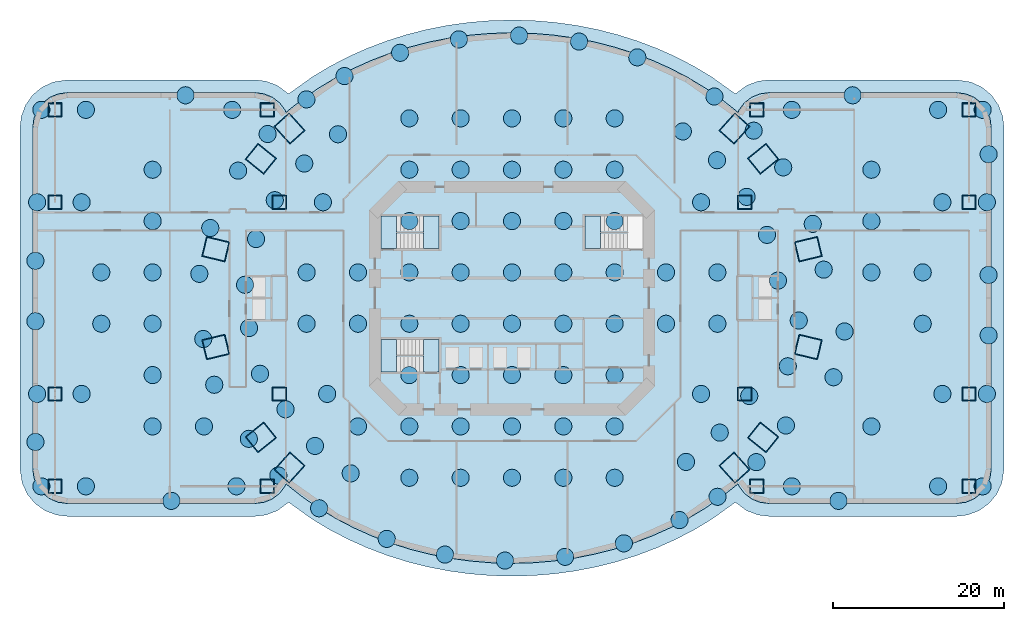
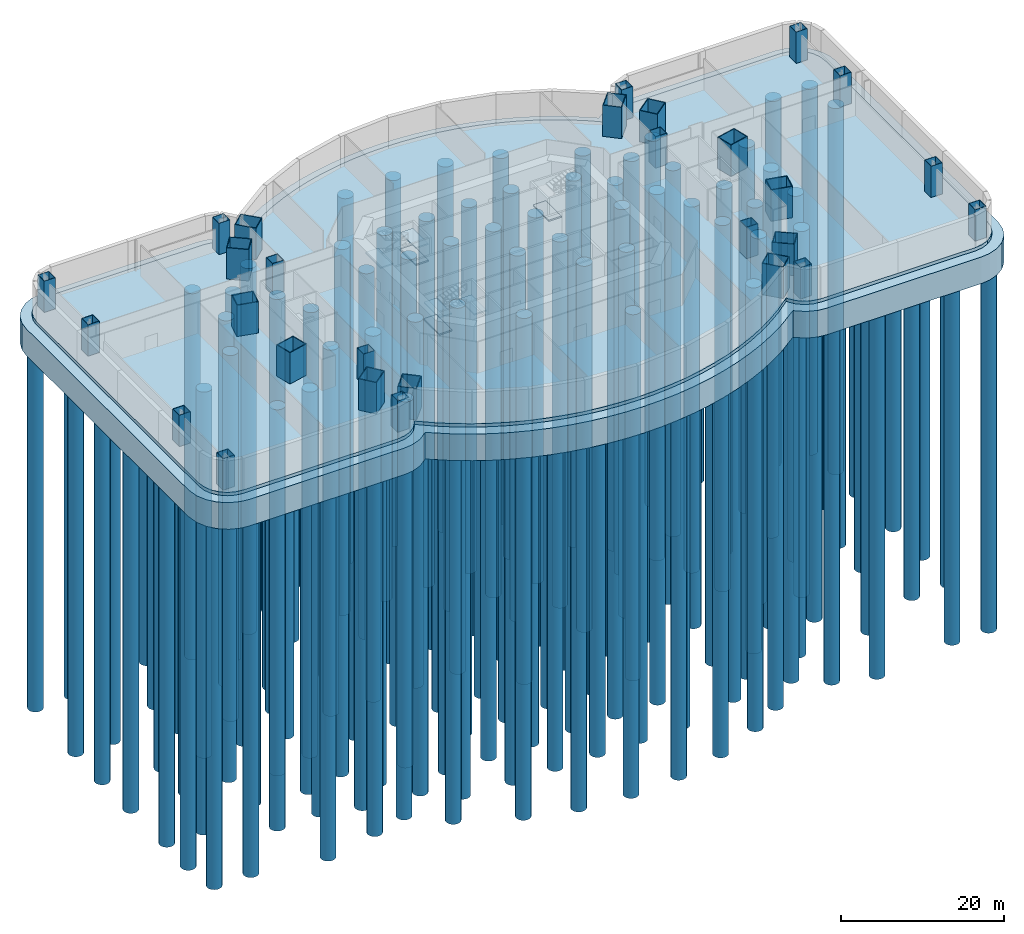
# One storey, part 1 of 9: 150 piles, 28 columns, 8 slabs, 1 footing, 3 elements without a shape of their own.
"""IFC4 building model written with IfcOpenShell, lengths in metres."""

from ifc_helpers import new_model, si_unit, direction, frame, origin, origin_2d, place, context, subcontext, project, spatial, polyline, rectangle, hollow_rectangle, circle, outline, extrude, material, layer, layer_set, material_profile, profile_set, type_object, element, aggregate, save


model = new_model("IFC4")

# Units and contexts
model_context = context("Model", 3, precision=1e-05, world=origin(), true_north=direction((0.0, 1.0)))
body_context = subcontext(model_context, "Body", "Model", "MODEL_VIEW")
ifc_project = project(units=[si_unit("LENGTHUNIT", "METRE"), si_unit("AREAUNIT", "SQUARE_METRE"), si_unit("VOLUMEUNIT", "CUBIC_METRE"), si_unit("PLANEANGLEUNIT", "RADIAN"), si_unit("MASSUNIT", "GRAM", prefix="KILO")], contexts=[model_context])

# Site, building, storey
site_placement = place(None, origin())
site = spatial("IfcSite", under=ifc_project, at=site_placement, CompositionType="ELEMENT")
building_placement = place(site_placement, origin())
building = spatial("IfcBuilding", under=site, at=building_placement, Name="Marenthal Gate Tower", CompositionType="ELEMENT")
storey_placement = place(building_placement, frame((0.0, 0.0, -10.0)))
storey = spatial("IfcBuildingStorey", under=building, at=storey_placement, Name="B2", CompositionType="ELEMENT", Elevation=-10.0)

# Piles
ifc_material_1 = material(Name="Concrete 40 MPa", Category="concrete")
pile_type = type_object("IfcPileType", Name="BORED PILE D2000", PredefinedType="BORED", material=ifc_material_1)
for number, where, z_axis, x_axis, name in (
    (1, (35.14794921875, 8.669921875, -4.5), (0.0, 0.0, -1.0), (1.0, 0.0, 0.0), "PIL-001"),
    (2, (36.429931640625, 3.321044921875, -4.5), (0.0, 0.0, -1.0), (1.0, 0.0, 0.0), "PIL-002"),
    (3, (29.799072265625, 7.387939453125, -4.5), (0.0, 0.0, -1.0), (1.0, 0.0, 0.0), "PIL-003"),
    (4, (31.0810546875, 2.0400390625, -4.5), (0.0, 0.0, -1.0), (1.0, 0.0, 0.0), "PIL-004"),
    (5, (28.248046875, 19.56201171875, -4.5), (0.0, 0.0, -1.0), (1.0, 0.0, 0.0), "PIL-005"),
    (6, (31.697021484375, 15.278076171875, -4.5), (0.0, 0.0, -1.0), (1.0, 0.0, 0.0), "PIL-006"),
    (7, (23.962890625, 16.113037109375, -4.5), (0.0, 0.0, -1.0), (1.0, 0.0, 0.0), "PIL-007"),
    (8, (27.412109375, 11.8291015625, -4.5), (0.0, 0.0, -1.0), (1.0, 0.0, 0.0), "PIL-008"),
    (9, (-32.010009765625, 14.888916015625, -4.5), (0.0, 0.0, -1.0), (1.0, 0.0, 0.0), "PIL-009"),
    (10, (-28.56103515625, 19.173095703125, -4.5), (0.0, 0.0, -1.0), (1.0, 0.0, 0.0), "PIL-010"),
    (11, (-27.72607421875, 11.43994140625, -4.5), (0.0, 0.0, -1.0), (1.0, 0.0, 0.0), "PIL-011"),
    (12, (-24.277099609375, 15.72412109375, -4.5), (0.0, 0.0, -1.0), (1.0, 0.0, 0.0), "PIL-012"),
    (13, (-36.5458984375, 2.8349609375, -4.5), (0.0, 0.0, -1.0), (1.0, 0.0, 0.0), "PIL-013"),
    (14, (-35.263916015625, 8.18408203125, -4.5), (0.0, 0.0, -1.0), (1.0, 0.0, 0.0), "PIL-014"),
    (15, (-31.197021484375, 1.552978515625, -4.5), (0.0, 0.0, -1.0), (1.0, 0.0, 0.0), "PIL-015"),
    (16, (-29.916015625, 6.902099609375, -4.5), (0.0, 0.0, -1.0), (1.0, 0.0, 0.0), "PIL-016"),
    (17, (-34.798095703125, -10.12890625, -4.5), (0.0, 0.0, -1.0), (1.0, 0.0, 0.0), "PIL-017"),
    (18, (-36.080078125, -4.780029296875, -4.5), (0.0, 0.0, -1.0), (1.0, 0.0, 0.0), "PIL-018"),
    (19, (-29.449951171875, -8.846923828125, -4.5), (0.0, 0.0, -1.0), (1.0, 0.0, 0.0), "PIL-019"),
    (20, (-30.73095703125, -3.498046875, -4.5), (0.0, 0.0, -1.0), (1.0, 0.0, 0.0), "PIL-020"),
    (21, (-27.306884765625, -20.73095703125, -4.5), (0.0, 0.0, -1.0), (1.0, 0.0, 0.0), "PIL-021"),
    (22, (-30.756103515625, -16.446044921875, -4.5), (0.0, 0.0, -1.0), (1.0, 0.0, 0.0), "PIL-022"),
    (23, (-23.02294921875, -17.281982421875, -4.5), (0.0, 0.0, -1.0), (1.0, 0.0, 0.0), "PIL-023"),
    (24, (-26.471923828125, -12.998046875, -4.5), (0.0, 0.0, -1.0), (1.0, 0.0, 0.0), "PIL-024"),
    (25, (32.010009765625, -14.888916015625, -4.5), (0.0, 0.0, -1.0), (1.0, 0.0, 0.0), "PIL-025"),
    (26, (28.56103515625, -19.173095703125, -4.5), (0.0, 0.0, -1.0), (1.0, 0.0, 0.0), "PIL-026"),
    (27, (27.72607421875, -11.43994140625, -4.5), (0.0, 0.0, -1.0), (1.0, 0.0, 0.0), "PIL-027"),
    (28, (24.277099609375, -15.72412109375, -4.5), (0.0, 0.0, -1.0), (1.0, 0.0, 0.0), "PIL-028"),
    (29, (38.861083984375, -3.904052734375, -4.5), (0.0, 0.0, -1.0), (1.0, 0.0, 0.0), "PIL-029"),
    (30, (37.5791015625, -9.2529296875, -4.5), (0.0, 0.0, -1.0), (1.0, 0.0, 0.0), "PIL-030"),
    (31, (33.511962890625, -2.6220703125, -4.5), (0.0, 0.0, -1.0), (1.0, 0.0, 0.0), "PIL-031"),
    (32, (32.22998046875, -7.970947265625, -4.5), (0.0, 0.0, -1.0), (1.0, 0.0, 0.0), "PIL-032"),
    (33, (23.652099609375, 23.55810546875, -4.5), (0.0, 0.0, -1.0), (1.0, 0.0, 0.0), "PIL-033"),
    (34, (19.964111328125, 19.47802734375, -4.5), (0.0, 0.0, -1.0), (1.0, 0.0, 0.0), "PIL-034"),
    (35, (-24.02294921875, 23.222900390625, -4.5), (0.0, 0.0, -1.0), (1.0, 0.0, 0.0), "PIL-035"),
    (36, (-20.3349609375, 19.14306640625, -4.5), (0.0, 0.0, -1.0), (1.0, 0.0, 0.0), "PIL-036"),
    (37, (24.02294921875, -23.222900390625, -4.5), (0.0, 0.0, -1.0), (1.0, 0.0, 0.0), "PIL-037"),
    (38, (20.3349609375, -19.14306640625, -4.5), (0.0, 0.0, -1.0), (1.0, 0.0, 0.0), "PIL-038"),
    (39, (-22.5390625, -24.56396484375, -4.5), (0.0, 0.0, -1.0), (1.0, 0.0, 0.0), "PIL-039"),
    (40, (-18.85107421875, -20.48388671875, -4.5), (0.0, 0.0, -1.0), (1.0, 0.0, 0.0), "PIL-040"),
    (41, (49.800048828125, -22.0, -4.5), (0.0, 0.0, -1.0), (1.0, 0.0, 0.0), "PIL-041"),
    (42, (55.0, -22.0, -4.5), (0.0, 0.0, -1.0), (1.0, 0.0, 0.0), "PIL-042"),
    (43, (32.699951171875, -22.0, -4.5), (0.0, 0.0, -1.0), (1.0, 0.0, 0.0), "PIL-043"),
    (44, (50.300048828125, -11.199951171875, -4.5), (0.0, 0.0, -1.0), (1.0, 0.0, 0.0), "PIL-044"),
    (45, (55.5, -11.199951171875, -4.5), (0.0, 0.0, -1.0), (1.0, 0.0, 0.0), "PIL-045"),
    (46, (22.10009765625, -11.199951171875, -4.5), (0.0, 0.0, -1.0), (1.0, 0.0, 0.0), "PIL-046"),
    (47, (50.300048828125, 11.199951171875, -4.5), (0.0, 0.0, -1.0), (1.0, 0.0, 0.0), "PIL-047"),
    (48, (55.5, 11.199951171875, -4.5), (0.0, 0.0, -1.0), (1.0, 0.0, 0.0), "PIL-048"),
    (49, (22.10009765625, 11.199951171875, -4.5), (0.0, 0.0, -1.0), (1.0, 0.0, 0.0), "PIL-049"),
    (50, (49.800048828125, 22.0, -4.5), (0.0, 0.0, -1.0), (1.0, 0.0, 0.0), "PIL-050"),
    (51, (55.0, 22.0, -4.5), (0.0, 0.0, -1.0), (1.0, 0.0, 0.0), "PIL-051"),
    (52, (32.699951171875, 22.0, -4.5), (0.0, 0.0, -1.0), (1.0, 0.0, 0.0), "PIL-052"),
    (53, (-55.0, -22.0, -4.5), (0.0, 0.0, -1.0), (1.0, 0.0, 0.0), "PIL-053"),
    (54, (-49.800048828125, -22.0, -4.5), (0.0, 0.0, -1.0), (1.0, 0.0, 0.0), "PIL-054"),
    (55, (-32.199951171875, -22.0, -4.5), (0.0, 0.0, -1.0), (1.0, 0.0, 0.0), "PIL-055"),
    (56, (-55.5, -11.199951171875, -4.5), (0.0, 0.0, -1.0), (1.0, 0.0, 0.0), "PIL-056"),
    (57, (-50.300048828125, -11.199951171875, -4.5), (0.0, 0.0, -1.0), (1.0, 0.0, 0.0), "PIL-057"),
    (58, (-21.60009765625, -11.199951171875, -4.5), (0.0, 0.0, -1.0), (1.0, 0.0, 0.0), "PIL-058"),
    (59, (-55.5, 11.199951171875, -4.5), (0.0, 0.0, -1.0), (1.0, 0.0, 0.0), "PIL-059"),
    (60, (-50.300048828125, 11.199951171875, -4.5), (0.0, 0.0, -1.0), (1.0, 0.0, 0.0), "PIL-060"),
    (61, (-22.10009765625, 11.199951171875, -4.5), (0.0, 0.0, -1.0), (1.0, 0.0, 0.0), "PIL-061"),
    (62, (-55.0, 22.0, -4.5), (0.0, 0.0, -1.0), (1.0, 0.0, 0.0), "PIL-062"),
    (63, (-49.800048828125, 22.0, -4.5), (0.0, 0.0, -1.0), (1.0, 0.0, 0.0), "PIL-063"),
    (64, (-32.699951171875, 22.0, -4.5), (0.0, 0.0, -1.0), (1.0, 0.0, 0.0), "PIL-064"),
    (65, (-18.0, -3.0, -4.5), (0.0, 0.0, -1.0), (1.0, 0.0, 0.0), "PIL-065"),
    (66, (-18.0, 3.0, -4.5), (0.0, 0.0, -1.0), (1.0, 0.0, 0.0), "PIL-066"),
    (67, (-12.0, -15.0, -4.5), (0.0, 0.0, -1.0), (1.0, 0.0, 0.0), "PIL-067"),
    (68, (-12.0, -9.0, -4.5), (0.0, 0.0, -1.0), (1.0, 0.0, 0.0), "PIL-068"),
    (69, (-12.0, -3.0, -4.5), (0.0, 0.0, -1.0), (1.0, 0.0, 0.0), "PIL-069"),
    (70, (-12.0, 3.0, -4.5), (0.0, 0.0, -1.0), (1.0, 0.0, 0.0), "PIL-070"),
    (71, (-12.0, 9.0, -4.5), (0.0, 0.0, -1.0), (1.0, 0.0, 0.0), "PIL-071"),
    (72, (-12.0, 15.0, -4.5), (0.0, 0.0, -1.0), (1.0, 0.0, 0.0), "PIL-072"),
    (73, (-6.0, -15.0, -4.5), (0.0, 0.0, -1.0), (1.0, 0.0, 0.0), "PIL-073"),
    (74, (-6.0, -9.0, -4.5), (0.0, 0.0, -1.0), (1.0, 0.0, 0.0), "PIL-074"),
    (75, (-6.0, -3.0, -4.5), (0.0, 0.0, -1.0), (1.0, 0.0, 0.0), "PIL-075"),
    (76, (-6.0, 3.0, -4.5), (0.0, 0.0, -1.0), (1.0, 0.0, 0.0), "PIL-076"),
    (77, (-6.0, 9.0, -4.5), (0.0, 0.0, -1.0), (1.0, 0.0, 0.0), "PIL-077"),
    (78, (-6.0, 15.0, -4.5), (0.0, 0.0, -1.0), (1.0, 0.0, 0.0), "PIL-078"),
    (79, (0.0, -15.0, -4.5), (0.0, 0.0, -1.0), (1.0, 0.0, 0.0), "PIL-079"),
    (80, (0.0, -9.0, -4.5), (0.0, 0.0, -1.0), (1.0, 0.0, 0.0), "PIL-080"),
    (81, (0.0, -3.0, -4.5), (0.0, 0.0, -1.0), (1.0, 0.0, 0.0), "PIL-081"),
    (82, (0.0, 3.0, -4.5), (0.0, 0.0, -1.0), (1.0, 0.0, 0.0), "PIL-082"),
    (83, (0.0, 9.0, -4.5), (0.0, 0.0, -1.0), (1.0, 0.0, 0.0), "PIL-083"),
    (84, (0.0, 15.0, -4.5), (0.0, 0.0, -1.0), (1.0, 0.0, 0.0), "PIL-084"),
    (85, (6.0, -15.0, -4.5), (0.0, 0.0, -1.0), (1.0, 0.0, 0.0), "PIL-085"),
    (86, (6.0, -9.0, -4.5), (0.0, 0.0, -1.0), (1.0, 0.0, 0.0), "PIL-086"),
    (87, (6.0, -3.0, -4.5), (0.0, 0.0, -1.0), (1.0, 0.0, 0.0), "PIL-087"),
    (88, (6.0, 3.0, -4.5), (0.0, 0.0, -1.0), (1.0, 0.0, 0.0), "PIL-088"),
    (89, (6.0, 9.0, -4.5), (0.0, 0.0, -1.0), (1.0, 0.0, 0.0), "PIL-089"),
    (90, (6.0, 15.0, -4.5), (0.0, 0.0, -1.0), (1.0, 0.0, 0.0), "PIL-090"),
    (91, (12.0, -15.0, -4.5), (0.0, 0.0, -1.0), (1.0, 0.0, 0.0), "PIL-091"),
    (92, (12.0, -9.0, -4.5), (0.0, 0.0, -1.0), (1.0, 0.0, 0.0), "PIL-092"),
    (93, (12.0, -3.0, -4.5), (0.0, 0.0, -1.0), (1.0, 0.0, 0.0), "PIL-093"),
    (94, (12.0, 3.0, -4.5), (0.0, 0.0, -1.0), (1.0, 0.0, 0.0), "PIL-094"),
    (95, (12.0, 9.0, -4.5), (0.0, 0.0, -1.0), (1.0, 0.0, 0.0), "PIL-095"),
    (96, (12.0, 15.0, -4.5), (0.0, 0.0, -1.0), (1.0, 0.0, 0.0), "PIL-096"),
    (97, (18.0, -3.0, -4.5), (0.0, 0.0, -1.0), (1.0, 0.0, 0.0), "PIL-097"),
    (98, (18.0, 3.0, -4.5), (0.0, 0.0, -1.0), (1.0, 0.0, 0.0), "PIL-098"),
    (99, (55.699951171875, 2.701904296875, -4.5), (0.0, 0.0, -1.0), (1.0, 0.0, 0.0), "PIL-099"),
    (100, (55.699951171875, 16.81494140625, -4.5), (0.0, 0.0, -1.0), (1.0, 0.0, 0.0), "PIL-100"),
    (101, (39.80810546875, 23.699951171875, -4.5), (0.0, 0.0, -1.0), (1.0, 0.0, 0.0), "PIL-101"),
    (102, (14.64111328125, 28.136962890625, -4.5), (0.0, 0.0, -1.0), (1.0, 0.0, 0.0), "PIL-102"),
    (103, (7.839111328125, 29.97705078125, -4.5), (0.0, 0.0, -1.0), (1.0, 0.0, 0.0), "PIL-103"),
    (104, (0.825927734375, 30.677001953125, -4.5), (0.0, 0.0, -1.0), (1.0, 0.0, 0.0), "PIL-104"),
    (105, (-6.2080078125, 30.240966796875, -4.5), (0.0, 0.0, -1.0), (1.0, 0.0, 0.0), "PIL-105"),
    (106, (-13.075927734375, 28.6669921875, -4.5), (0.0, 0.0, -1.0), (1.0, 0.0, 0.0), "PIL-106"),
    (107, (-19.575927734375, 25.947998046875, -4.5), (0.0, 0.0, -1.0), (1.0, 0.0, 0.0), "PIL-107"),
    (108, (-38.155029296875, 23.699951171875, -4.5), (0.0, 0.0, -1.0), (1.0, 0.0, 0.0), "PIL-108"),
    (109, (-55.699951171875, 4.35498046875, -4.5), (0.0, 0.0, -1.0), (1.0, 0.0, 0.0), "PIL-109"),
    (110, (-55.699951171875, -2.701904296875, -4.5), (0.0, 0.0, -1.0), (1.0, 0.0, 0.0), "PIL-110"),
    (111, (-55.699951171875, -16.81494140625, -4.5), (0.0, 0.0, -1.0), (1.0, 0.0, 0.0), "PIL-111"),
    (112, (-39.80810546875, -23.699951171875, -4.5), (0.0, 0.0, -1.0), (1.0, 0.0, 0.0), "PIL-112"),
    (113, (-14.64111328125, -28.136962890625, -4.5), (0.0, 0.0, -1.0), (1.0, 0.0, 0.0), "PIL-113"),
    (114, (-7.839111328125, -29.97705078125, -4.5), (0.0, 0.0, -1.0), (1.0, 0.0, 0.0), "PIL-114"),
    (115, (-0.825927734375, -30.677001953125, -4.5), (0.0, 0.0, -1.0), (1.0, 0.0, 0.0), "PIL-115"),
    (116, (6.2080078125, -30.240966796875, -4.5), (0.0, 0.0, -1.0), (1.0, 0.0, 0.0), "PIL-116"),
    (117, (13.075927734375, -28.6669921875, -4.5), (0.0, 0.0, -1.0), (1.0, 0.0, 0.0), "PIL-117"),
    (118, (19.575927734375, -25.947998046875, -4.5), (0.0, 0.0, -1.0), (1.0, 0.0, 0.0), "PIL-118"),
    (119, (38.155029296875, -23.699951171875, -4.5), (0.0, 0.0, -1.0), (1.0, 0.0, 0.0), "PIL-119"),
    (120, (55.699951171875, -4.35498046875, -4.5), (0.0, 0.0, -1.0), (1.0, 0.0, 0.0), "PIL-120"),
    (121, (-12.0, -21.0, -4.5), (0.0, 0.0, -1.0), (1.0, 0.0, 0.0), "PIL-121"),
    (122, (-6.0, -21.0, -4.5), (0.0, 0.0, -1.0), (1.0, 0.0, 0.0), "PIL-122"),
    (123, (0.0, -21.0, -4.5), (0.0, 0.0, -1.0), (1.0, 0.0, 0.0), "PIL-123"),
    (124, (6.0, -21.0, -4.5), (0.0, 0.0, -1.0), (1.0, 0.0, 0.0), "PIL-124"),
    (125, (12.0, -21.0, -4.5), (0.0, 0.0, -1.0), (1.0, 0.0, 0.0), "PIL-125"),
    (126, (-42.0, -15.0, -4.5), (0.0, 0.0, -1.0), (1.0, 0.0, 0.0), "PIL-126"),
    (127, (-36.0, -15.0, -4.5), (0.0, 0.0, -1.0), (1.0, 0.0, 0.0), "PIL-127"),
    (128, (-18.0, -15.0, -4.5), (0.0, 0.0, -1.0), (1.0, 0.0, 0.0), "PIL-128"),
    (129, (42.0, -15.0, -4.5), (0.0, 0.0, -1.0), (1.0, 0.0, 0.0), "PIL-129"),
    (130, (-42.0, -9.0, -4.5), (0.0, 0.0, -1.0), (1.0, 0.0, 0.0), "PIL-130"),
    (131, (-48.0, -3.0, -4.5), (0.0, 0.0, -1.0), (1.0, 0.0, 0.0), "PIL-131"),
    (132, (-42.0, -3.0, -4.5), (0.0, 0.0, -1.0), (1.0, 0.0, 0.0), "PIL-132"),
    (133, (-24.0, -3.0, -4.5), (0.0, 0.0, -1.0), (1.0, 0.0, 0.0), "PIL-133"),
    (134, (24.0, -3.0, -4.5), (0.0, 0.0, -1.0), (1.0, 0.0, 0.0), "PIL-134"),
    (135, (48.0, -3.0, -4.5), (0.0, 0.0, -1.0), (1.0, 0.0, 0.0), "PIL-135"),
    (136, (-48.0, 3.0, -4.5), (0.0, 0.0, -1.0), (1.0, 0.0, 0.0), "PIL-136"),
    (137, (-42.0, 3.0, -4.5), (0.0, 0.0, -1.0), (1.0, 0.0, 0.0), "PIL-137"),
    (138, (-24.0, 3.0, -4.5), (0.0, 0.0, -1.0), (1.0, 0.0, 0.0), "PIL-138"),
    (139, (24.0, 3.0, -4.5), (0.0, 0.0, -1.0), (1.0, 0.0, 0.0), "PIL-139"),
    (140, (42.0, 3.0, -4.5), (0.0, 0.0, -1.0), (1.0, 0.0, 0.0), "PIL-140"),
    (141, (48.0, 3.0, -4.5), (0.0, 0.0, -1.0), (1.0, 0.0, 0.0), "PIL-141"),
    (142, (-42.0, 9.0, -4.5), (0.0, 0.0, -1.0), (1.0, 0.0, 0.0), "PIL-142"),
    (143, (42.0, 9.0, -4.5), (0.0, 0.0, -1.0), (1.0, 0.0, 0.0), "PIL-143"),
    (144, (-42.0, 15.0, -4.5), (0.0, 0.0, -1.0), (1.0, 0.0, 0.0), "PIL-144"),
    (145, (42.0, 15.0, -4.5), (0.0, 0.0, -1.0), (1.0, 0.0, 0.0), "PIL-145"),
    (146, (-12.0, 21.0, -4.5), (0.0, 0.0, -1.0), (1.0, 0.0, 0.0), "PIL-146"),
    (147, (-6.0, 21.0, -4.5), (0.0, 0.0, -1.0), (1.0, 0.0, 0.0), "PIL-147"),
    (148, (0.0, 21.0, -4.5), (0.0, 0.0, -1.0), (1.0, 0.0, 0.0), "PIL-148"),
    (149, (6.0, 21.0, -4.5), (0.0, 0.0, -1.0), (1.0, 0.0, 0.0), "PIL-149"),
    (150, (12.0, 21.0, -4.5), (0.0, 0.0, -1.0), (1.0, 0.0, 0.0), "PIL-150"),
):
    element("IfcPile", number, at=place(storey_placement, frame(where, z_axis=z_axis, x_axis=x_axis)), inside=storey, type_object=pile_type, Name=name, PredefinedType="BORED", context=body_context, shape_type="SweptSolid", body=[
        extrude(circle(Radius=1.0, at=origin_2d()), origin(), (0.0, 0.0, 1.0), 55.0),
    ])

# Footing
ifc_material_2 = material(Name="Concrete 50 MPa", Category="concrete")
ifc_layer_1 = layer(ifc_material_2, 4.0)
ifc_layer_set_1 = layer_set([ifc_layer_1], Name="PILED RAFT 4000")
footing_type = type_object("IfcFootingType", Name="PILED RAFT 4000", PredefinedType="PILE_CAP", material=ifc_layer_set_1)
footing_placement = place(storey_placement, frame((0.0, 0.0, -4.5)))
element("IfcFooting", 151, at=footing_placement, inside=storey, type_object=footing_type, Name="RAFT-01", PredefinedType="PILE_CAP", context=body_context, shape_type="SweptSolid", body=[
    extrude(outline(polyline([(-26.109130859375, -23.869140625), (-23.3740234375, -25.830078125), (-21.249267578125, -27.10595703125), (-19.113037109375, -28.2158203125), (-16.977783203125, -29.172119140625), (-14.6103515625, -30.07080078125), (-12.2626953125, -30.80859375), (-9.94580078125, -31.3974609375), (-7.423828125, -31.89013671875), (-4.952880859375, -32.229736328125), (-2.4609375, -32.43310546875), (-0.041015625, -32.49951171875), (2.543212890625, -32.428466796875), (4.952880859375, -32.229736328125), (7.423828125, -31.89013671875), (9.94580078125, -31.3974609375), (12.2626953125, -30.80859375), (14.6103515625, -30.07080078125), (16.977783203125, -29.172119140625), (19.113037109375, -28.2158203125), (21.249267578125, -27.10595703125), (23.3740234375, -25.830078125), (26.109130859375, -23.869140625), (27.426025390625, -24.849853515625), (28.768798828125, -25.350830078125), (30.0, -25.5), (52.0, -25.5), (53.231201171875, -25.350830078125), (54.573974609375, -24.849853515625), (55.74169921875, -24.018310546875), (56.654052734375, -22.9130859375), (57.24951171875, -21.609375), (57.5, -20.0), (57.5, 20.0), (57.350830078125, 21.231201171875), (56.849853515625, 22.573974609375), (56.018310546875, 23.74169921875), (54.9130859375, 24.654052734375), (53.609375, 25.24951171875), (52.0, 25.5), (30.0, 25.5), (28.768798828125, 25.350830078125), (27.426025390625, 24.849853515625), (26.109130859375, 23.869140625), (23.3740234375, 25.830078125), (21.249267578125, 27.10595703125), (19.113037109375, 28.2158203125), (16.977783203125, 29.172119140625), (14.6103515625, 30.07080078125), (12.2626953125, 30.80859375), (9.94580078125, 31.3974609375), (7.423828125, 31.89013671875), (4.952880859375, 32.229736328125), (2.4609375, 32.43310546875), (0.041015625, 32.49951171875), (-2.543212890625, 32.428466796875), (-4.952880859375, 32.229736328125), (-7.423828125, 31.89013671875), (-9.94580078125, 31.3974609375), (-12.2626953125, 30.80859375), (-14.6103515625, 30.07080078125), (-16.977783203125, 29.172119140625), (-19.113037109375, 28.2158203125), (-21.249267578125, 27.10595703125), (-23.3740234375, 25.830078125), (-26.109130859375, 23.869140625), (-27.426025390625, 24.849853515625), (-28.768798828125, 25.350830078125), (-30.0, 25.5), (-52.0, 25.5), (-53.609375, 25.24951171875), (-54.9130859375, 24.654052734375), (-56.018310546875, 23.74169921875), (-56.849853515625, 22.573974609375), (-57.350830078125, 21.231201171875), (-57.5, 20.0), (-57.5, -20.0), (-57.24951171875, -21.609375), (-56.654052734375, -22.9130859375), (-55.74169921875, -24.018310546875), (-54.573974609375, -24.849853515625), (-53.231201171875, -25.350830078125), (-52.0, -25.5), (-30.0, -25.5), (-28.768798828125, -25.350830078125), (-27.426025390625, -24.849853515625), (-26.109130859375, -23.869140625)])), origin(), (0.0, 0.0, 1.0), 4.0),
])

# Columns
ifc_material_3 = material(Name="Steel S460", Category="steel")
ifc_material_profile_1 = material_profile(ifc_material_3, hollow_rectangle(XDim=2.39990234375, YDim=2.800048828125, WallThickness=0.10009765625, at=origin_2d()), Name="CFT BOX 2800X2400X100")
ifc_material_4 = material(Name="Concrete 70 MPa", Category="concrete")
ifc_material_profile_2 = material_profile(ifc_material_4, rectangle(XDim=2.199951171875, YDim=2.60009765625, at=origin_2d()), Name="CFT BOX 2800X2400X100 INFILL")
ifc_profile_set_1 = profile_set([ifc_material_profile_1, ifc_material_profile_2], Name="Steel S460 shell, Concrete 70 MPa infill")
column_type_1 = type_object("IfcColumnType", Name="CFT BOX 2800X2400X100", PredefinedType="COLUMN", material=ifc_profile_set_1)
for number, where, z_axis, x_axis, name in (
    (152, (34.62158203125, 5.716064453125, 0.0), (0.0, 0.0, 1.0), (0.2330465244, -0.972465586777, 0.0), "COL-B2-01"),
    (153, (29.350830078125, 16.2783203125, 0.0), (0.0, 0.0, 1.0), (0.627070248118, -0.778962710228, 0.0), "COL-B2-02"),
    (154, (-29.350830078125, 16.2783203125, 0.0), (0.0, 0.0, 1.0), (0.627070248118, 0.778962710228, 0.0), "COL-B2-07"),
    (155, (-34.62158203125, 5.716064453125, 0.0), (0.0, 0.0, 1.0), (0.2330465244, 0.972465586777, 0.0), "COL-B2-08"),
    (156, (-34.62158203125, -5.716064453125, 0.0), (0.0, 0.0, 1.0), (-0.2330465244, 0.972465586777, 0.0), "COL-B2-09"),
    (157, (-29.350830078125, -16.2783203125, 0.0), (0.0, 0.0, 1.0), (-0.627070248118, 0.778962710228, 0.0), "COL-B2-10"),
    (158, (29.350830078125, -16.2783203125, 0.0), (0.0, 0.0, 1.0), (-0.627070248118, -0.778962710228, 0.0), "COL-B2-15"),
    (159, (34.62158203125, -5.716064453125, 0.0), (0.0, 0.0, 1.0), (-0.2330465244, -0.972465586777, 0.0), "COL-B2-16"),
    (160, (26.0, 19.818115234375, 0.0), (0.0, 0.0, 1.0), (0.741874032401, -0.670539275546, 0.0), "COL-B2-17"),
    (161, (-26.0, 19.818115234375, 0.0), (0.0, 0.0, 1.0), (0.741874032401, 0.670539275546, 0.0), "COL-B2-18"),
    (162, (26.0, -19.818115234375, 0.0), (0.0, 0.0, 1.0), (-0.741874032401, -0.670539275546, 0.0), "COL-B2-19"),
    (163, (-26.0, -19.818115234375, 0.0), (0.0, 0.0, 1.0), (-0.741874032401, 0.670539275546, 0.0), "COL-B2-20"),
):
    element("IfcColumn", number, at=place(storey_placement, frame(where, z_axis=z_axis, x_axis=x_axis)), inside=storey, type_object=column_type_1, Name=name, PredefinedType="COLUMN", context=body_context, shape_type="SweptSolid", body=[
        extrude(hollow_rectangle(XDim=2.39990234375, YDim=2.800048828125, WallThickness=0.10009765625, at=origin_2d()), origin(), (0.0, 0.0, 1.0), 4.699951171875),
    ])
ifc_material_5 = material(Name="Steel S460", Category="steel")
ifc_material_profile_3 = material_profile(ifc_material_5, hollow_rectangle(XDim=1.60009765625, YDim=1.60009765625, WallThickness=0.06005859375, at=origin_2d()), Name="CFT BOX 1600X1600X60")
ifc_material_6 = material(Name="Concrete 70 MPa", Category="concrete")
ifc_material_profile_4 = material_profile(ifc_material_6, rectangle(XDim=1.47998046875, YDim=1.47998046875, at=origin_2d()), Name="CFT BOX 1600X1600X60 INFILL")
ifc_profile_set_2 = profile_set([ifc_material_profile_3, ifc_material_profile_4], Name="Steel S460 shell, Concrete 70 MPa infill")
column_type_2 = type_object("IfcColumnType", Name="PODIUM COLUMN 1600X1600X60", PredefinedType="COLUMN", material=ifc_profile_set_2)
for number, where, z_axis, x_axis, name in (
    (164, (53.39990234375, -22.0, 0.0), (0.0, 0.0, 1.0), (1.0, 0.0, 0.0), "COL-B2-31"),
    (165, (28.60009765625, -22.0, 0.0), (0.0, 0.0, 1.0), (1.0, 0.0, 0.0), "COL-B2-32"),
    (166, (53.39990234375, -11.199951171875, 0.0), (0.0, 0.0, 1.0), (1.0, 0.0, 0.0), "COL-B2-33"),
    (167, (27.199951171875, -11.199951171875, 0.0), (0.0, 0.0, 1.0), (1.0, 0.0, 0.0), "COL-B2-34"),
    (168, (53.39990234375, 11.199951171875, 0.0), (0.0, 0.0, 1.0), (1.0, 0.0, 0.0), "COL-B2-35"),
    (169, (27.199951171875, 11.199951171875, 0.0), (0.0, 0.0, 1.0), (1.0, 0.0, 0.0), "COL-B2-36"),
    (170, (53.39990234375, 22.0, 0.0), (0.0, 0.0, 1.0), (1.0, 0.0, 0.0), "COL-B2-37"),
    (171, (28.60009765625, 22.0, 0.0), (0.0, 0.0, 1.0), (1.0, 0.0, 0.0), "COL-B2-38"),
    (172, (-53.39990234375, -22.0, 0.0), (0.0, 0.0, 1.0), (1.0, 0.0, 0.0), "COL-B2-39"),
    (173, (-28.60009765625, -22.0, 0.0), (0.0, 0.0, 1.0), (1.0, 0.0, 0.0), "COL-B2-40"),
    (174, (-53.39990234375, -11.199951171875, 0.0), (0.0, 0.0, 1.0), (1.0, 0.0, 0.0), "COL-B2-41"),
    (175, (-27.199951171875, -11.199951171875, 0.0), (0.0, 0.0, 1.0), (1.0, 0.0, 0.0), "COL-B2-42"),
    (176, (-53.39990234375, 11.199951171875, 0.0), (0.0, 0.0, 1.0), (1.0, 0.0, 0.0), "COL-B2-43"),
    (177, (-27.199951171875, 11.199951171875, 0.0), (0.0, 0.0, 1.0), (1.0, 0.0, 0.0), "COL-B2-44"),
    (178, (-53.39990234375, 22.0, 0.0), (0.0, 0.0, 1.0), (1.0, 0.0, 0.0), "COL-B2-45"),
    (179, (-28.60009765625, 22.0, 0.0), (0.0, 0.0, 1.0), (1.0, 0.0, 0.0), "COL-B2-46"),
):
    element("IfcColumn", number, at=place(storey_placement, frame(where, z_axis=z_axis, x_axis=x_axis)), inside=storey, type_object=column_type_2, Name=name, PredefinedType="COLUMN", context=body_context, shape_type="SweptSolid", body=[
        extrude(hollow_rectangle(XDim=1.60009765625, YDim=1.60009765625, WallThickness=0.06005859375, at=origin_2d()), origin(), (0.0, 0.0, 1.0), 4.699951171875),
    ])

# Slab
ifc_material_7 = material(Name="Concrete 50 MPa", Category="concrete")
ifc_layer_2 = layer(ifc_material_7, 0.5)
ifc_layer_set_2 = layer_set([ifc_layer_2], Name="B2 base slab 500")
slab_type_1 = type_object("IfcSlabType", Name="B2 base slab 500", PredefinedType="BASESLAB", material=ifc_layer_set_2)
slab_1_placement = place(storey_placement, frame((0.0, 0.0, -0.5)))
element("IfcSlab", 180, at=slab_1_placement, inside=storey, type_object=slab_type_1, Name="SL-B2-01", PredefinedType="BASESLAB", context=body_context, shape_type="SweptSolid", body=[
    extrude(outline(polyline([(-26.535888671875, -22.0), (-26.410888671875, -21.698486328125), (-26.1630859375, -21.92041015625), (-24.395751953125, -23.306884765625), (-22.524169921875, -24.593994140625), (-20.55615234375, -25.775634765625), (-18.5, -26.8466796875), (-16.36474609375, -27.802978515625), (-14.1591796875, -28.640380859375), (-11.893310546875, -29.354736328125), (-9.576416015625, -29.943603515625), (-7.21826171875, -30.404296875), (-4.82958984375, -30.73486328125), (-2.419921875, -30.93359375), (0.0, -31.0), (2.419921875, -30.93359375), (4.82958984375, -30.73486328125), (7.21826171875, -30.404296875), (9.576416015625, -29.943603515625), (11.893310546875, -29.354736328125), (14.1591796875, -28.640380859375), (16.36474609375, -27.802978515625), (18.5, -26.8466796875), (20.55615234375, -25.775634765625), (22.524169921875, -24.593994140625), (24.395751953125, -23.306884765625), (26.1630859375, -21.92041015625), (26.410888671875, -21.698486328125), (26.535888671875, -22.0), (27.171630859375, -22.828369140625), (28.0, -23.464111328125), (28.964599609375, -23.86376953125), (30.0, -24.0), (52.0, -24.0), (53.035400390625, -23.86376953125), (54.0, -23.464111328125), (54.828369140625, -22.828369140625), (55.464111328125, -22.0), (55.86376953125, -21.035400390625), (56.0, -20.0), (56.0, 20.0), (55.86376953125, 21.035400390625), (55.464111328125, 22.0), (54.828369140625, 22.828369140625), (54.0, 23.464111328125), (53.035400390625, 23.86376953125), (52.0, 24.0), (30.0, 24.0), (28.964599609375, 23.86376953125), (28.0, 23.464111328125), (27.171630859375, 22.828369140625), (26.535888671875, 22.0), (26.410888671875, 21.698486328125), (26.1630859375, 21.92041015625), (24.395751953125, 23.306884765625), (22.524169921875, 24.593994140625), (20.55615234375, 25.775634765625), (18.5, 26.8466796875), (16.36474609375, 27.802978515625), (14.1591796875, 28.640380859375), (11.893310546875, 29.354736328125), (9.576416015625, 29.943603515625), (7.21826171875, 30.404296875), (4.82958984375, 30.73486328125), (2.419921875, 30.93359375), (0.0, 31.0), (-2.419921875, 30.93359375), (-4.82958984375, 30.73486328125), (-7.21826171875, 30.404296875), (-9.576416015625, 29.943603515625), (-11.893310546875, 29.354736328125), (-14.1591796875, 28.640380859375), (-16.36474609375, 27.802978515625), (-18.5, 26.8466796875), (-20.55615234375, 25.775634765625), (-22.524169921875, 24.593994140625), (-24.395751953125, 23.306884765625), (-26.1630859375, 21.92041015625), (-26.410888671875, 21.698486328125), (-26.535888671875, 22.0), (-27.171630859375, 22.828369140625), (-28.0, 23.464111328125), (-28.964599609375, 23.86376953125), (-30.0, 24.0), (-52.0, 24.0), (-53.035400390625, 23.86376953125), (-54.0, 23.464111328125), (-54.828369140625, 22.828369140625), (-55.464111328125, 22.0), (-55.86376953125, 21.035400390625), (-56.0, 20.0), (-56.0, -20.0), (-55.86376953125, -21.035400390625), (-55.464111328125, -22.0), (-54.828369140625, -22.828369140625), (-54.0, -23.464111328125), (-53.035400390625, -23.86376953125), (-52.0, -24.0), (-30.0, -24.0), (-28.964599609375, -23.86376953125), (-28.0, -23.464111328125), (-27.171630859375, -22.828369140625), (-26.535888671875, -22.0)])), origin(), (0.0, 0.0, 1.0), 0.5),
])

# Stair, slabs
ifc_material_8 = material(Name="Concrete 40 MPa", Category="concrete")
stair_type = type_object("IfcStairType", Name="Exit stair 1800", PredefinedType="HALF_TURN_STAIR", material=ifc_material_8)
stair_1_placement = place(storey_placement, origin())
stair_1 = element("IfcStair", 181, at=stair_1_placement, inside=storey, type_object=stair_type, Name="Stair ST1", PredefinedType="HALF_TURN_STAIR")
ifc_material_9 = material(Name="Concrete 40 MPa", Category="concrete")
ifc_layer_3 = layer(ifc_material_9, 0.199951171875)
ifc_layer_set_3 = layer_set([ifc_layer_3], Name="Stair landing 200")
slab_type_2 = type_object("IfcSlabType", Name="Stair landing 200", PredefinedType="LANDING", material=ifc_layer_set_3)
slab_2_placement = place(storey_placement, frame((0.0, 0.0, 1.050048828125)))
slab_2 = element("IfcSlab", 182, at=slab_2_placement, type_object=slab_type_2, Name="ST1 landing 1", PredefinedType="LANDING", context=body_context, shape_type="SweptSolid", body=[
    extrude(outline(polyline([(-10.35009765625, 5.77490234375), (-8.550048828125, 5.77490234375), (-8.550048828125, 9.574951171875), (-10.35009765625, 9.574951171875), (-10.35009765625, 5.77490234375)])), origin(), (0.0, 0.0, 1.0), 0.199951171875),
])
slab_3_placement = place(storey_placement, frame((0.0, 0.0, 2.300048828125)))
slab_3 = element("IfcSlab", 183, at=slab_3_placement, type_object=slab_type_2, Name="ST1 landing 2", PredefinedType="LANDING", context=body_context, shape_type="SweptSolid", body=[
    extrude(outline(polyline([(-15.300048828125, 5.77490234375), (-13.5, 5.77490234375), (-13.5, 9.574951171875), (-15.300048828125, 9.574951171875), (-15.300048828125, 5.77490234375)])), origin(), (0.0, 0.0, 1.0), 0.199951171875),
])
slab_4_placement = place(storey_placement, frame((0.0, 0.0, 3.550048828125)))
slab_4 = element("IfcSlab", 184, at=slab_4_placement, type_object=slab_type_2, Name="ST1 landing 3", PredefinedType="LANDING", context=body_context, shape_type="SweptSolid", body=[
    extrude(outline(polyline([(-10.35009765625, 5.77490234375), (-8.550048828125, 5.77490234375), (-8.550048828125, 9.574951171875), (-10.35009765625, 9.574951171875), (-10.35009765625, 5.77490234375)])), origin(), (0.0, 0.0, 1.0), 0.199951171875),
])
aggregate(stair_1, [slab_2, slab_3, slab_4])

stair_2_placement = place(storey_placement, origin())
stair_2 = element("IfcStair", 185, at=stair_2_placement, inside=storey, type_object=stair_type, Name="Stair ST2", PredefinedType="HALF_TURN_STAIR")
slab_5_placement = place(storey_placement, frame((0.0, 0.0, 1.050048828125)))
slab_5 = element("IfcSlab", 186, at=slab_5_placement, type_object=slab_type_2, Name="ST2 landing 1", PredefinedType="LANDING", context=body_context, shape_type="SweptSolid", body=[
    extrude(outline(polyline([(-15.300048828125, -8.625), (-13.5, -8.625), (-13.5, -4.824951171875), (-15.300048828125, -4.824951171875), (-15.300048828125, -8.625)])), origin(), (0.0, 0.0, 1.0), 0.199951171875),
])
slab_6_placement = place(storey_placement, frame((0.0, 0.0, 2.300048828125)))
slab_6 = element("IfcSlab", 187, at=slab_6_placement, type_object=slab_type_2, Name="ST2 landing 2", PredefinedType="LANDING", context=body_context, shape_type="SweptSolid", body=[
    extrude(outline(polyline([(-10.35009765625, -8.625), (-8.550048828125, -8.625), (-8.550048828125, -4.824951171875), (-10.35009765625, -4.824951171875), (-10.35009765625, -8.625)])), origin(), (0.0, 0.0, 1.0), 0.199951171875),
])
slab_7_placement = place(storey_placement, frame((0.0, 0.0, 3.550048828125)))
slab_7 = element("IfcSlab", 188, at=slab_7_placement, type_object=slab_type_2, Name="ST2 landing 3", PredefinedType="LANDING", context=body_context, shape_type="SweptSolid", body=[
    extrude(outline(polyline([(-15.300048828125, -8.625), (-13.5, -8.625), (-13.5, -4.824951171875), (-15.300048828125, -4.824951171875), (-15.300048828125, -8.625)])), origin(), (0.0, 0.0, 1.0), 0.199951171875),
])
aggregate(stair_2, [slab_5, slab_6, slab_7])

# Stair, slab
stair_3_placement = place(storey_placement, origin())
stair_3 = element("IfcStair", 189, at=stair_3_placement, inside=storey, type_object=stair_type, Name="Stair ST3", PredefinedType="HALF_TURN_STAIR")
slab_8_placement = place(storey_placement, frame((0.0, 0.0, 1.050048828125)))
slab_8 = element("IfcSlab", 190, at=slab_8_placement, type_object=slab_type_2, Name="ST3 landing 1", PredefinedType="LANDING", context=body_context, shape_type="SweptSolid", body=[
    extrude(outline(polyline([(8.550048828125, 5.77490234375), (10.35009765625, 5.77490234375), (10.35009765625, 9.574951171875), (8.550048828125, 9.574951171875), (8.550048828125, 5.77490234375)])), origin(), (0.0, 0.0, 1.0), 0.199951171875),
])
aggregate(stair_3, [slab_8])

save(model, "model.ifc")
